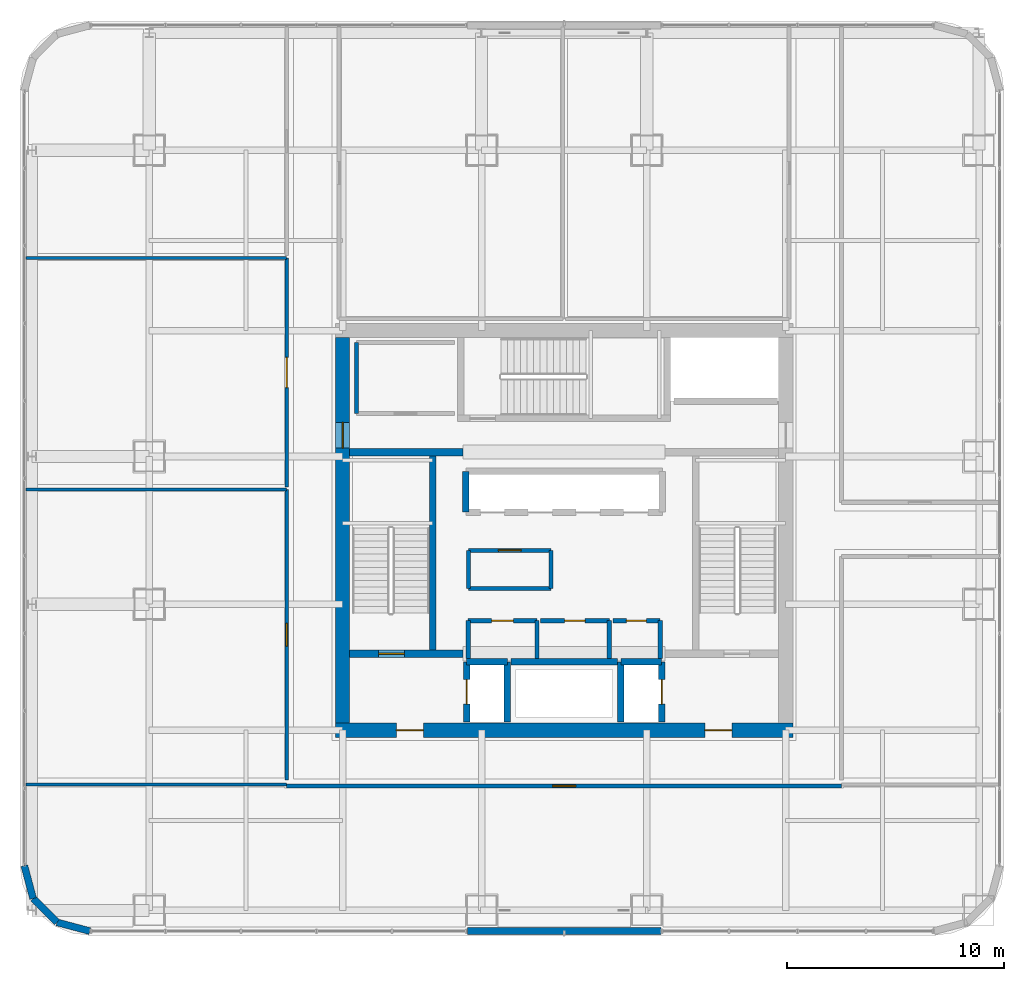
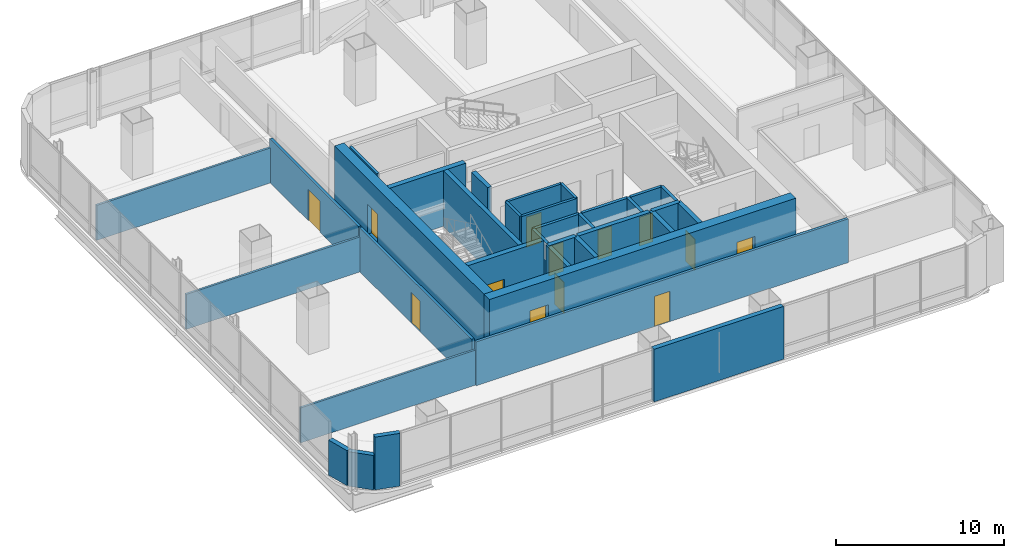
# One storey, part 29 of 38: 35 walls, 13 doors, 13 openings.
"""IFC4 building model written with IfcOpenShell, lengths in metres."""

import ifcopenshell
import ifcopenshell.guid

model = None  # the IFC model being written
_history = None  # IfcOwnerHistory: only IFC2X3 demands one
_inside = {}  # id of a spatial element -> (the spatial element, [elements in it])
_under = {}  # id of a project, library or spatial element -> (it, [spatial elements below it])
_declared = {}  # id of a project -> (the project, [libraries it declares])
_typed = {}  # id of a type object -> (the type object, [elements of that type])
_made_of = {}  # id of a material, layer set ... -> (it, [elements and type objects made of it])


def new_model(schema):
    """Start an empty IFC model of exactly this schema.

    Asked for "IFC4X3", IfcOpenShell would pick the latest addendum, in which some entities
    have other attributes; the version numbers below select the first issue.
    IFC2X3 requires an IfcOwnerHistory on every rooted entity: one is made here for all.
    """
    global model, _history
    if schema == "IFC4X3":
        model = ifcopenshell.file(schema_version=(4, 3, 0, 0))
    else:
        model = ifcopenshell.file(schema=schema)
    _inside.clear()
    _under.clear()
    _declared.clear()
    _typed.clear()
    _made_of.clear()
    _history = None
    if model.schema == "IFC2X3":
        org = make("IfcOrganization", Name="unknown")
        user = make(
            "IfcPersonAndOrganization",
            ThePerson=make("IfcPerson", FamilyName="unknown"),
            TheOrganization=org,
        )
        app = make(
            "IfcApplication",
            ApplicationDeveloper=org,
            Version="unknown",
            ApplicationFullName="unknown",
            ApplicationIdentifier="unknown",
        )
        _history = make(
            "IfcOwnerHistory",
            OwningUser=user,
            OwningApplication=app,
            ChangeAction="ADDED",
            CreationDate=0,
        )
    return model


def make(cls, **values):
    """One entity of the class cls with the attributes given. An attribute that is None is left unset."""
    return model.create_entity(
        cls, **{name: value for name, value in values.items() if value is not None}
    )


def rooted(cls, **values):
    """An entity with a GlobalId (a new one), such as an element, a storey or a relation."""
    return make(cls, GlobalId=ifcopenshell.guid.new(), OwnerHistory=_history, **values)


def si_unit(unit_type, name, prefix=None):
    """IfcSIUnit, for example si_unit("LENGTHUNIT", "METRE", prefix="MILLI")."""
    return make("IfcSIUnit", UnitType=unit_type, Prefix=prefix, Name=name)


def assignment(units):
    """IfcUnitAssignment: the units of a project."""
    return None if units is None else make("IfcUnitAssignment", Units=units)


def point(xyz):
    """IfcCartesianPoint."""
    return None if xyz is None else make("IfcCartesianPoint", Coordinates=xyz)


def direction(xyz):
    """IfcDirection."""
    return None if xyz is None else make("IfcDirection", DirectionRatios=xyz)


def frame(location, z_axis=None, x_axis=None):
    """IfcAxis2Placement3D, a coordinate frame: its origin and axes. An axis left out is left unset."""
    return make(
        "IfcAxis2Placement3D",
        Location=point(location),
        Axis=direction(z_axis),
        RefDirection=direction(x_axis),
    )


def frame_2d(location, x_axis=None):
    """IfcAxis2Placement2D, a coordinate frame in the plane: its origin and x axis."""
    return make(
        "IfcAxis2Placement2D", Location=point(location), RefDirection=direction(x_axis)
    )


def origin():
    """The frame at (0, 0, 0) with its axes left unset."""
    return frame((0.0, 0.0, 0.0))


def place(relative_to, where):
    """IfcLocalPlacement: puts the frame where relative to a parent placement (None: the world)."""
    return make(
        "IfcLocalPlacement", PlacementRelTo=relative_to, RelativePlacement=where
    )


def context(
    kind, dimensions, precision=None, world=None, true_north=None, identifier=None
):
    """IfcGeometricRepresentationContext, for example the 3D "Model" context."""
    return make(
        "IfcGeometricRepresentationContext",
        ContextIdentifier=identifier,
        ContextType=kind,
        CoordinateSpaceDimension=dimensions,
        Precision=precision,
        WorldCoordinateSystem=world,
        TrueNorth=true_north,
    )


def subcontext(parent, identifier, kind, view, scale=None):
    """IfcGeometricRepresentationSubContext, for example "Body" below "Model"."""
    return make(
        "IfcGeometricRepresentationSubContext",
        ContextIdentifier=identifier,
        ContextType=kind,
        ParentContext=parent,
        TargetScale=scale,
        TargetView=view,
    )


def project(units=None, contexts=None):
    """IfcProject with its units and contexts."""
    return rooted(
        "IfcProject",
        Name="project",
        RepresentationContexts=contexts,
        UnitsInContext=assignment(units),
    )


def spatial(cls, under=None, at=None, **own):
    """A site, building, storey or space (cls), placed at a placement, below another one or the project."""
    s = rooted(cls, ObjectPlacement=at, **own)
    if under is not None:
        _under.setdefault(under.id(), (under, []))[1].append(s)
    return s


def profile(cls, at=None, kind="AREA", **sizes):
    """A parametric profile (cls). Its sizes go by their IFC names, for example OverallWidth=200.0."""
    return make(cls, ProfileType=kind, Position=at, **sizes)


def rectangle(**sizes):
    """IfcRectangleProfileDef."""
    return profile("IfcRectangleProfileDef", **sizes)


def extrude(swept, where, along, depth):
    """IfcExtrudedAreaSolid: the profile swept, set in the frame where, extruded along a direction by depth."""
    return make(
        "IfcExtrudedAreaSolid",
        SweptArea=swept,
        Position=where,
        ExtrudedDirection=direction(along),
        Depth=depth,
    )


def shape(context_of_items, identifier, shape_type, items):
    """IfcShapeRepresentation: the items that make up one representation, for example the "Body"."""
    return make(
        "IfcShapeRepresentation",
        ContextOfItems=context_of_items,
        RepresentationIdentifier=identifier,
        RepresentationType=shape_type,
        Items=items,
    )


def material(Name=None, Category=None):
    """IfcMaterial."""
    return make("IfcMaterial", Name=Name, Category=Category)


def layer(
    of_material, thickness, ventilated=None, Name=None, Category=None, Priority=None
):
    """IfcMaterialLayer: one layer of a wall or slab, of a material (None: an air gap)."""
    return make(
        "IfcMaterialLayer",
        Material=of_material,
        LayerThickness=thickness,
        IsVentilated=ventilated,
        Name=Name,
        Category=Category,
        Priority=Priority,
    )


def layer_set(layers, Name=None):
    """IfcMaterialLayerSet."""
    return make("IfcMaterialLayerSet", MaterialLayers=layers, LayerSetName=Name)


def made_of(thing, what):
    """Note that an element or type object is made of a material, layer set ...; save() writes the relation."""
    if what is not None:
        _made_of.setdefault(what.id(), (what, []))[1].append(thing)
    return thing


def type_object(cls, material=None, **own):
    """A type object (cls), such as IfcWallType, which elements share."""
    return made_of(rooted(cls, **own), material)


def element(
    cls,
    number,
    at=None,
    inside=None,
    cuts=None,
    type_object=None,
    material=None,
    context=None,
    identifier="Body",
    shape_type=None,
    held_by="IfcProductDefinitionShape",
    body=None,
    shapes=None,
    **own,
):
    """One element of the class cls, such as IfcWall. Its Tag is "e" and its number.

    at: its placement. inside: the storey or other place that contains it. cuts: it is an
    opening in that element (IfcRelVoidsElement). A single representation is given by context,
    identifier, shape_type and body (its items); several are given by shapes. held_by: the class
    of the entity that holds the representations. save() writes the other relations.
    """
    e = rooted(cls, Tag="e%d" % number, ObjectPlacement=at, **own)
    if body is not None:
        shapes = [shape(context, identifier, shape_type, body)]
    if shapes is not None:
        e.Representation = make(held_by, Representations=shapes)
    if inside is not None:
        _inside.setdefault(inside.id(), (inside, []))[1].append(e)
    if cuts is not None:
        rooted(
            "IfcRelVoidsElement", RelatingBuildingElement=cuts, RelatedOpeningElement=e
        )
    if type_object is not None:
        _typed.setdefault(type_object.id(), (type_object, []))[1].append(e)
    return made_of(e, material)


def fill(opening, filler):
    """IfcRelFillsElement: the door or window that sits in an opening."""
    return rooted(
        "IfcRelFillsElement",
        RelatingOpeningElement=opening,
        RelatedBuildingElement=filler,
    )


def aggregate(whole, parts):
    """IfcRelAggregates: a whole, such as a stair, and the parts it consists of."""
    return rooted("IfcRelAggregates", RelatingObject=whole, RelatedObjects=parts)


def save(model, path):
    """Write the relations noted so far, then the file.

    IfcRelAggregates (storeys below a building ...), IfcRelContainedInSpatialStructure (elements
    in a storey), IfcRelDefinesByType, IfcRelAssociatesMaterial and IfcRelDeclares: one each for
    every whole, place, type object, material and project.
    """
    for whole, parts in _under.values():
        aggregate(whole, parts)
    for where, things in _inside.values():
        rooted(
            "IfcRelContainedInSpatialStructure",
            RelatedElements=things,
            RelatingStructure=where,
        )
    for kind, things in _typed.values():
        rooted("IfcRelDefinesByType", RelatedObjects=things, RelatingType=kind)
    for what, things in _made_of.values():
        rooted("IfcRelAssociatesMaterial", RelatedObjects=things, RelatingMaterial=what)
    for by, libraries in _declared.values():
        rooted("IfcRelDeclares", RelatingContext=by, RelatedDefinitions=libraries)
    model.write(path)


model = new_model("IFC4")

# Units and contexts
model_context = context("Model", 3, precision=1e-05, world=origin(), true_north=direction((0.0, 1.0)))
body_context = subcontext(model_context, "Body", "Model", "MODEL_VIEW")
ifc_project = project(units=[si_unit("LENGTHUNIT", "METRE"), si_unit("AREAUNIT", "SQUARE_METRE"), si_unit("VOLUMEUNIT", "CUBIC_METRE"), si_unit("PLANEANGLEUNIT", "RADIAN"), si_unit("MASSUNIT", "GRAM", prefix="KILO")], contexts=[model_context])

# Site, building, storey
site_placement = place(None, origin())
site = spatial("IfcSite", under=ifc_project, at=site_placement, CompositionType="ELEMENT")
building_placement = place(site_placement, origin())
building = spatial("IfcBuilding", under=site, at=building_placement, Name="Punatoya Terracotta Tower", CompositionType="ELEMENT")
storey_placement = place(building_placement, frame((0.0, 0.0, 156.0)))
storey = spatial("IfcBuildingStorey", under=building, at=storey_placement, Name="L36", CompositionType="ELEMENT", Elevation=156.0)

# Wall, openings, doors
ifc_material_1 = material(Name="Concrete C60/75", Category="concrete")
ifc_layer_1 = layer(ifc_material_1, 0.64990234375)
ifc_layer_set_1 = layer_set([ifc_layer_1], Name="Concrete C60/75")
wall_type_1 = type_object("IfcWallType", Name="WL-COR-650", PredefinedType="SHEAR", material=ifc_layer_set_1)
wall_1_placement = place(storey_placement, frame((10.52490234375, -9.199951171875, 0.0), z_axis=(0.0, 0.0, 1.0), x_axis=(-1.0, 0.0, 0.0)))
wall_1 = element("IfcWall", 1, at=wall_1_placement, inside=storey, type_object=wall_type_1, Name="L36 Core Shear Wall S", PredefinedType="SHEAR", context=body_context, shape_type="SweptSolid", body=[
    extrude(rectangle(XDim=21.0498046875, YDim=0.64990234375, at=frame_2d((10.52490234375, 0.0))), origin(), (0.0, 0.0, 1.0), 4.050048828125),
])
opening_1_placement = place(wall_1_placement, frame((2.800048828125, 0.0, 0.0)))
opening_1 = element("IfcOpeningElement", 2, at=opening_1_placement, cuts=wall_1, Name="Opening FD-L1", PredefinedType="OPENING", context=body_context, shape_type="SweptSolid", body=[
    extrude(rectangle(XDim=1.25, YDim=2.25, at=frame_2d((0.625, 1.125))), frame((0.0, 0.3349609375, 0.0), z_axis=(0.0, -1.0, 0.0), x_axis=(1.0, 0.0, 0.0)), (0.0, 0.0, 1.0), 0.669921875),
])
opening_2_placement = place(wall_1_placement, frame((17.0, 0.0, 0.0)))
opening_2 = element("IfcOpeningElement", 3, at=opening_2_placement, cuts=wall_1, Name="Opening FD-L1", PredefinedType="OPENING", context=body_context, shape_type="SweptSolid", body=[
    extrude(rectangle(XDim=1.25, YDim=2.25, at=frame_2d((0.625, 1.125))), frame((0.0, 0.3349609375, 0.0), z_axis=(0.0, -1.0, 0.0), x_axis=(1.0, 0.0, 0.0)), (0.0, 0.0, 1.0), 0.669921875),
])
ifc_material_2 = material(Name="Galvanised Steel Smokeproof Fire Door", Category="steel")
door_type_1 = type_object("IfcDoorType", Name="DR-FFL-1250", OperationType="NOTDEFINED", PredefinedType="DOOR", material=ifc_material_2)
door_1_placement = place(opening_1_placement, origin())
door_1 = element("IfcDoor", 4, at=door_1_placement, inside=storey, type_object=door_type_1, Name="L36 East Firefighting Lobby Corridor Fire Door", OperationType="SINGLE_SWING_LEFT", OverallHeight=2.25, OverallWidth=1.25, PredefinedType="DOOR", context=body_context, shape_type="SweptSolid", body=[
    extrude(rectangle(XDim=1.25, YDim=2.25, at=frame_2d((0.625, 1.125))), frame((0.0, 0.02490234375, 0.0), z_axis=(0.0, -1.0, 0.0), x_axis=(1.0, 0.0, 0.0)), (0.0, 0.0, 1.0), 0.050048828125),
])
fill(opening_1, door_1)
door_2_placement = place(opening_2_placement, origin())
door_2 = element("IfcDoor", 5, at=door_2_placement, inside=storey, type_object=door_type_1, Name="L36 West Firefighting Lobby Corridor Fire Door", OperationType="SINGLE_SWING_RIGHT", OverallHeight=2.25, OverallWidth=1.25, PredefinedType="DOOR", context=body_context, shape_type="SweptSolid", body=[
    extrude(rectangle(XDim=1.25, YDim=2.25, at=frame_2d((0.625, 1.125))), frame((0.0, 0.02490234375, 0.0), z_axis=(0.0, -1.0, 0.0), x_axis=(1.0, 0.0, 0.0)), (0.0, 0.0, 1.0), 0.050048828125),
])
fill(opening_2, door_2)

# Wall, opening, door
wall_2_placement = place(storey_placement, frame((-10.199951171875, -8.875, 0.0), z_axis=(0.0, 0.0, 1.0), x_axis=(0.0, 1.0, 0.0)))
wall_2 = element("IfcWall", 6, at=wall_2_placement, inside=storey, type_object=wall_type_1, Name="L36 Core Shear Wall W", PredefinedType="SHEAR", context=body_context, shape_type="SweptSolid", body=[
    extrude(rectangle(XDim=17.75, YDim=0.64990234375, at=frame_2d((8.875, 0.0))), origin(), (0.0, 0.0, 1.0), 4.050048828125),
])
opening_3_placement = place(wall_2_placement, frame((12.6650390625, 0.0, 0.0)))
opening_3 = element("IfcOpeningElement", 7, at=opening_3_placement, cuts=wall_2, Name="Opening SD-01", PredefinedType="OPENING", context=body_context, shape_type="SweptSolid", body=[
    extrude(rectangle(XDim=1.179931640625, YDim=2.199951171875, at=frame_2d((0.58984375, 1.10009765625))), frame((0.0, 0.3349609375, 0.0), z_axis=(0.0, -1.0, 0.0), x_axis=(1.0, 0.0, 0.0)), (0.0, 0.0, 1.0), 0.669921875),
])
ifc_material_3 = material(Name="Galvanised Steel Pressurized Stair Fire Door", Category="steel")
door_type_2 = type_object("IfcDoorType", Name="DR-STR-1180", OperationType="NOTDEFINED", PredefinedType="DOOR", material=ifc_material_3)
door_3_placement = place(opening_3_placement, origin())
door_3 = element("IfcDoor", 8, at=door_3_placement, inside=storey, type_object=door_type_2, Name="L36 Central Lift Lobby West Fire Door", OperationType="SINGLE_SWING_LEFT", OverallHeight=2.199951171875, OverallWidth=1.179931640625, PredefinedType="DOOR", context=body_context, shape_type="SweptSolid", body=[
    extrude(rectangle(XDim=1.179931640625, YDim=2.199951171875, at=frame_2d((0.58984375, 1.10009765625))), frame((0.0, 0.02490234375, 0.0), z_axis=(0.0, -1.0, 0.0), x_axis=(1.0, 0.0, 0.0)), (0.0, 0.0, 1.0), 0.050048828125),
])
fill(opening_3, door_3)

# Wall
ifc_material_4 = material(Name="Gypsum Fireboard + Steel Stud", Category="steel")
ifc_layer_2 = layer(ifc_material_4, 0.179931640625)
ifc_layer_set_2 = layer_set([ifc_layer_2], Name="Gypsum Fireboard + Steel Stud")
wall_type_2 = type_object("IfcWallType", Name="WL-CORR-180", PredefinedType="PARTITIONING", material=ifc_layer_set_2)
wall_3_placement = place(storey_placement, frame((-0.60009765625, -2.679931640625, 0.0), z_axis=(0.0, 0.0, 1.0), x_axis=(0.0, 1.0, 0.0)))
element("IfcWall", 9, at=wall_3_placement, inside=storey, type_object=wall_type_2, Name="L36 West Core Archive Office Partition 08", PredefinedType="PARTITIONING", context=body_context, shape_type="SweptSolid", body=[
    extrude(rectangle(XDim=1.760009765625, YDim=0.179931640625, at=frame_2d((0.8798828125, 0.0))), origin(), (0.0, 0.0, 1.0), 3.830078125),
])

# Wall, opening, door
wall_4_placement = place(storey_placement, frame((-0.60009765625, -0.919921875, 0.0), z_axis=(0.0, 0.0, 1.0), x_axis=(-1.0, 0.0, 0.0)))
wall_4 = element("IfcWall", 10, at=wall_4_placement, inside=storey, type_object=wall_type_2, Name="L36 West Core Archive Office Partition 09", PredefinedType="PARTITIONING", context=body_context, shape_type="SweptSolid", body=[
    extrude(rectangle(XDim=3.7998046875, YDim=0.179931640625, at=frame_2d((1.89990234375, 0.0))), origin(), (0.0, 0.0, 1.0), 3.830078125),
])
opening_4_placement = place(wall_4_placement, frame((1.375, 0.0, 0.0)))
opening_4 = element("IfcOpeningElement", 11, at=opening_4_placement, cuts=wall_4, Name="Opening OD-01", PredefinedType="OPENING", context=body_context, shape_type="SweptSolid", body=[
    extrude(rectangle(XDim=1.050048828125, YDim=2.199951171875, at=frame_2d((0.52490234375, 1.10009765625))), frame((0.0, 0.099853515625, 0.0), z_axis=(0.0, -1.0, 0.0), x_axis=(1.0, 0.0, 0.0)), (0.0, 0.0, 1.0), 0.199951171875),
])
ifc_material_5 = material(Name="Bengal Teak Solid-Core Leaf")
door_type_3 = type_object("IfcDoorType", Name="DR-OFF-1050", OperationType="NOTDEFINED", PredefinedType="DOOR", material=ifc_material_5)
door_4_placement = place(opening_4_placement, origin())
door_4 = element("IfcDoor", 12, at=door_4_placement, inside=storey, type_object=door_type_3, Name="L36 West Archive Office Door", OperationType="SINGLE_SWING_RIGHT", OverallHeight=2.199951171875, OverallWidth=1.050048828125, PredefinedType="DOOR", context=body_context, shape_type="SweptSolid", body=[
    extrude(rectangle(XDim=1.050048828125, YDim=2.199951171875, at=frame_2d((0.52490234375, 1.10009765625))), frame((0.0, 0.02490234375, 0.0), z_axis=(0.0, -1.0, 0.0), x_axis=(1.0, 0.0, 0.0)), (0.0, 0.0, 1.0), 0.050048828125),
])
fill(opening_4, door_4)

# Walls
wall_5_placement = place(storey_placement, frame((-4.39990234375, -0.919921875, 0.0), z_axis=(0.0, 0.0, 1.0), x_axis=(0.0, -1.0, 0.0)))
element("IfcWall", 13, at=wall_5_placement, inside=storey, type_object=wall_type_2, Name="L36 West Core Archive Office Partition 10", PredefinedType="PARTITIONING", context=body_context, shape_type="SweptSolid", body=[
    extrude(rectangle(XDim=1.760009765625, YDim=0.179931640625, at=frame_2d((0.8798828125, 0.0))), origin(), (0.0, 0.0, 1.0), 3.830078125),
])
wall_6_placement = place(storey_placement, frame((-4.39990234375, -2.679931640625, 0.0), z_axis=(0.0, 0.0, 1.0), x_axis=(1.0, 0.0, 0.0)))
element("IfcWall", 14, at=wall_6_placement, inside=storey, type_object=wall_type_2, Name="L36 West Core Archive Office Partition 11", PredefinedType="PARTITIONING", context=body_context, shape_type="SweptSolid", body=[
    extrude(rectangle(XDim=3.7998046875, YDim=0.179931640625, at=frame_2d((1.89990234375, 0.0))), origin(), (0.0, 0.0, 1.0), 3.830078125),
])
wall_7_placement = place(storey_placement, frame((-9.550048828125, 8.64990234375, 0.0), z_axis=(0.0, 0.0, 1.0), x_axis=(0.0, -1.0, 0.0)))
element("IfcWall", 15, at=wall_7_placement, inside=storey, type_object=wall_type_2, Name="L36 West Core Records Office Partition 13", PredefinedType="PARTITIONING", context=body_context, shape_type="SweptSolid", body=[
    extrude(rectangle(XDim=3.27001953125, YDim=0.179931640625, at=frame_2d((1.635009765625, 0.0))), origin(), (0.0, 0.0, 1.0), 3.830078125),
])

# Wall, opening, door
wall_8_placement = place(storey_placement, frame((-12.77001953125, -11.77001953125, 0.0), z_axis=(0.0, 0.0, 1.0), x_axis=(1.0, 0.0, 0.0)))
wall_8 = element("IfcWall", 16, at=wall_8_placement, inside=storey, type_object=wall_type_2, Name="L36 Open Workplace Studio Partition 16", PredefinedType="PARTITIONING", context=body_context, shape_type="SweptSolid", body=[
    extrude(rectangle(XDim=25.5400390625, YDim=0.179931640625, at=frame_2d((12.77001953125, 0.0))), origin(), (0.0, 0.0, 1.0), 3.174072265625),
])
opening_5_placement = place(wall_8_placement, frame((12.2451171875, 0.0, 0.0)))
opening_5 = element("IfcOpeningElement", 17, at=opening_5_placement, cuts=wall_8, Name="Opening OD-01", PredefinedType="OPENING", context=body_context, shape_type="SweptSolid", body=[
    extrude(rectangle(XDim=1.050048828125, YDim=2.199951171875, at=frame_2d((0.52490234375, 1.10009765625))), frame((0.0, 0.099853515625, 0.0), z_axis=(0.0, -1.0, 0.0), x_axis=(1.0, 0.0, 0.0)), (0.0, 0.0, 1.0), 0.199951171875),
])
door_5_placement = place(opening_5_placement, origin())
door_5 = element("IfcDoor", 18, at=door_5_placement, inside=storey, type_object=door_type_3, Name="L36 Open Workplace Studio Door", OperationType="SINGLE_SWING_RIGHT", OverallHeight=2.199951171875, OverallWidth=1.050048828125, PredefinedType="DOOR", context=body_context, shape_type="SweptSolid", body=[
    extrude(rectangle(XDim=1.050048828125, YDim=2.199951171875, at=frame_2d((0.52490234375, 1.10009765625))), frame((0.0, 0.02490234375, 0.0), z_axis=(0.0, -1.0, 0.0), x_axis=(1.0, 0.0, 0.0)), (0.0, 0.0, 1.0), 0.050048828125),
])
fill(opening_5, door_5)

wall_9_placement = place(storey_placement, frame((-12.77001953125, 1.8798828125, 0.0), z_axis=(0.0, 0.0, 1.0), x_axis=(0.0, -1.0, 0.0)))
wall_9 = element("IfcWall", 19, at=wall_9_placement, inside=storey, type_object=wall_type_2, Name="L36 Project Design Office Partition 21", PredefinedType="PARTITIONING", context=body_context, shape_type="SweptSolid", body=[
    extrude(rectangle(XDim=13.369873046875, YDim=0.179931640625, at=frame_2d((6.68505859375, 0.0))), origin(), (0.0, 0.0, 1.0), 3.174072265625),
])
opening_6_placement = place(wall_9_placement, frame((6.159912109375, 0.0, 0.0)))
opening_6 = element("IfcOpeningElement", 20, at=opening_6_placement, cuts=wall_9, Name="Opening OD-01", PredefinedType="OPENING", context=body_context, shape_type="SweptSolid", body=[
    extrude(rectangle(XDim=1.050048828125, YDim=2.199951171875, at=frame_2d((0.52490234375, 1.10009765625))), frame((0.0, 0.099853515625, 0.0), z_axis=(0.0, -1.0, 0.0), x_axis=(1.0, 0.0, 0.0)), (0.0, 0.0, 1.0), 0.199951171875),
])
door_6_placement = place(opening_6_placement, origin())
door_6 = element("IfcDoor", 21, at=door_6_placement, inside=storey, type_object=door_type_3, Name="L36 Project Design Office Door", OperationType="SINGLE_SWING_RIGHT", OverallHeight=2.199951171875, OverallWidth=1.050048828125, PredefinedType="DOOR", context=body_context, shape_type="SweptSolid", body=[
    extrude(rectangle(XDim=1.050048828125, YDim=2.199951171875, at=frame_2d((0.52490234375, 1.10009765625))), frame((0.0, 0.02490234375, 0.0), z_axis=(0.0, -1.0, 0.0), x_axis=(1.0, 0.0, 0.0)), (0.0, 0.0, 1.0), 0.050048828125),
])
fill(opening_6, door_6)

wall_10_placement = place(storey_placement, frame((-12.77001953125, 12.530029296875, 0.0), z_axis=(0.0, 0.0, 1.0), x_axis=(0.0, -1.0, 0.0)))
wall_10 = element("IfcWall", 22, at=wall_10_placement, inside=storey, type_object=wall_type_2, Name="L36 Open-Plan Client Strategy Boardroom Partition 23", PredefinedType="PARTITIONING", context=body_context, shape_type="SweptSolid", body=[
    extrude(rectangle(XDim=10.530029296875, YDim=0.179931640625, at=frame_2d((5.26513671875, 0.0))), origin(), (0.0, 0.0, 1.0), 3.174072265625),
])
opening_7_placement = place(wall_10_placement, frame((4.56494140625, 0.0, 0.0)))
opening_7 = element("IfcOpeningElement", 23, at=opening_7_placement, cuts=wall_10, Name="Opening BD-01", PredefinedType="OPENING", context=body_context, shape_type="SweptSolid", body=[
    extrude(rectangle(XDim=1.39990234375, YDim=2.25, at=frame_2d((0.699951171875, 1.125))), frame((0.0, 0.099853515625, 0.0), z_axis=(0.0, -1.0, 0.0), x_axis=(1.0, 0.0, 0.0)), (0.0, 0.0, 1.0), 0.199951171875),
])
ifc_material_6 = material(Name="Bengal Teak Acoustic Leaf")
door_type_4 = type_object("IfcDoorType", Name="DR-BRD-1400", OperationType="NOTDEFINED", PredefinedType="DOOR", material=ifc_material_6)
door_7_placement = place(opening_7_placement, origin())
door_7 = element("IfcDoor", 24, at=door_7_placement, inside=storey, type_object=door_type_4, Name="L36 Open-Plan Client Strategy Boardroom Door", OperationType="SINGLE_SWING_LEFT", OverallHeight=2.25, OverallWidth=1.39990234375, PredefinedType="DOOR", context=body_context, shape_type="SweptSolid", body=[
    extrude(rectangle(XDim=1.39990234375, YDim=2.25, at=frame_2d((0.699951171875, 1.125))), frame((0.0, 0.02490234375, 0.0), z_axis=(0.0, -1.0, 0.0), x_axis=(1.0, 0.0, 0.0)), (0.0, 0.0, 1.0), 0.050048828125),
])
fill(opening_7, door_7)

# Walls
ifc_material_7 = material(Name="Precast concrete C40/50", Category="concrete")
ifc_layer_3 = layer(ifc_material_7, 0.320068359375)
ifc_layer_set_3 = layer_set([ifc_layer_3], Name="Precast concrete C40/50")
wall_type_3 = type_object("IfcWallType", Name="WL-EXT-320", PredefinedType="SOLIDWALL", material=ifc_layer_set_3)
wall_11_placement = place(storey_placement, frame((-4.449951171875, -18.449951171875, 0.0), z_axis=(0.0, 0.0, 1.0), x_axis=(1.0, 0.0, 0.0)))
element("IfcWall", 25, at=wall_11_placement, inside=storey, type_object=wall_type_3, Name="L36 Terracotta Braced Facade Wall S1", PredefinedType="SOLIDWALL", context=body_context, shape_type="SweptSolid", body=[
    extrude(rectangle(XDim=8.89990234375, YDim=0.320068359375, at=frame_2d((4.449951171875, 0.0))), origin(), (0.0, 0.0, 1.0), 3.830078125),
])
wall_12_placement = place(storey_placement, frame((-24.85009765625, -15.43701171875, 0.0), z_axis=(0.0, 0.0, 1.0), x_axis=(0.257847112249, -0.966185730957, 0.0)))
element("IfcWall", 26, at=wall_12_placement, inside=storey, type_object=wall_type_3, Name="L36 Rounded Terracotta Corner Pier 14", PredefinedType="SOLIDWALL", context=body_context, shape_type="SweptSolid", body=[
    extrude(rectangle(XDim=1.565185546875, YDim=0.320068359375, at=frame_2d((0.78271484375, 0.0))), origin(), (0.0, 0.0, 1.0), 2.5439453125),
])
wall_13_placement = place(storey_placement, frame((-24.446533203125, -16.94921875, 0.0), z_axis=(0.0, 0.0, 1.0), x_axis=(0.707106781187, -0.707106781187, 0.0)))
element("IfcWall", 27, at=wall_13_placement, inside=storey, type_object=wall_type_3, Name="L36 Rounded Terracotta Corner Pier 15", PredefinedType="SOLIDWALL", context=body_context, shape_type="SweptSolid", body=[
    extrude(rectangle(XDim=1.552001953125, YDim=0.320068359375, at=frame_2d((0.77587890625, 0.0))), origin(), (0.0, 0.0, 1.0), 2.50390625),
])
wall_14_placement = place(storey_placement, frame((-23.34912109375, -18.046630859375, 0.0), z_axis=(0.0, 0.0, 1.0), x_axis=(0.966224582397, -0.257701486942, 0.0)))
element("IfcWall", 28, at=wall_14_placement, inside=storey, type_object=wall_type_3, Name="L36 Rounded Terracotta Corner Pier 16", PredefinedType="SOLIDWALL", context=body_context, shape_type="SweptSolid", body=[
    extrude(rectangle(XDim=1.565185546875, YDim=0.320068359375, at=frame_2d((0.78271484375, 0.0))), origin(), (0.0, 0.0, 1.0), 3.830078125),
])
ifc_material_8 = material(Name="Concrete C40/50", Category="concrete")
ifc_layer_4 = layer(ifc_material_8, 0.199951171875)
ifc_layer_set_4 = layer_set([ifc_layer_4], Name="Concrete C40/50")
wall_type_4 = type_object("IfcWallType", Name="WL-INT-200", PredefinedType="SOLIDWALL", material=ifc_layer_set_4)
wall_15_placement = place(storey_placement, frame((-1.25, -5.89990234375, 0.0), z_axis=(0.0, 0.0, 1.0), x_axis=(0.0, 1.0, 0.0)))
element("IfcWall", 29, at=wall_15_placement, inside=storey, type_object=wall_type_4, Name="L36 Accessible Universal Washroom Partition 01", PredefinedType="SOLIDWALL", context=body_context, shape_type="SweptSolid", body=[
    extrude(rectangle(XDim=1.739990234375, YDim=0.199951171875, at=frame_2d((0.8701171875, 0.0))), origin(), (0.0, 0.0, 1.0), 3.830078125),
])

# Wall, opening, door
wall_16_placement = place(storey_placement, frame((-1.25, -4.159912109375, 0.0), z_axis=(0.0, 0.0, 1.0), x_axis=(-1.0, 0.0, 0.0)))
wall_16 = element("IfcWall", 30, at=wall_16_placement, inside=storey, type_object=wall_type_4, Name="L36 Accessible Universal Washroom Partition 02", PredefinedType="SOLIDWALL", context=body_context, shape_type="SweptSolid", body=[
    extrude(rectangle(XDim=3.169921875, YDim=0.199951171875, at=frame_2d((1.5849609375, 0.0))), origin(), (0.0, 0.0, 1.0), 3.830078125),
])
opening_8_placement = place(wall_16_placement, frame((1.0849609375, 0.0, 0.0)))
opening_8 = element("IfcOpeningElement", 31, at=opening_8_placement, cuts=wall_16, Name="Opening AWD-1", PredefinedType="OPENING", context=body_context, shape_type="SweptSolid", body=[
    extrude(rectangle(XDim=1.0, YDim=2.14990234375, at=frame_2d((0.5, 1.074951171875))), frame((0.0, 0.10986328125, 0.0), z_axis=(0.0, -1.0, 0.0), x_axis=(1.0, 0.0, 0.0)), (0.0, 0.0, 1.0), 0.219970703125),
])
ifc_material_9 = material(Name="Bengal Teak Accessible WC Leaf")
door_type_5 = type_object("IfcDoorType", Name="DR-ACC-1000", OperationType="NOTDEFINED", PredefinedType="DOOR", material=ifc_material_9)
door_8_placement = place(opening_8_placement, origin())
door_8 = element("IfcDoor", 32, at=door_8_placement, inside=storey, type_object=door_type_5, Name="L36 Accessible Universal Washroom Door", OperationType="SINGLE_SWING_LEFT", OverallHeight=2.14990234375, OverallWidth=1.0, PredefinedType="DOOR", context=body_context, shape_type="SweptSolid", body=[
    extrude(rectangle(XDim=1.0, YDim=2.14990234375, at=frame_2d((0.5, 1.074951171875))), frame((0.0, 0.02490234375, 0.0), z_axis=(0.0, -1.0, 0.0), x_axis=(1.0, 0.0, 0.0)), (0.0, 0.0, 1.0), 0.050048828125),
])
fill(opening_8, door_8)

# Walls
for number, where, z_axis, x_axis, name in (
    (33, (-4.419921875, -4.159912109375, 0.0), (0.0, 0.0, 1.0), (0.0, -1.0, 0.0), "L36 Accessible Universal Washroom Partition 03"),
    (34, (2.080078125, -5.89990234375, 0.0), (0.0, 0.0, 1.0), (0.0, 1.0, 0.0), "L36 All-Gender Universal Washroom Partition 04"),
):
    element("IfcWall", number, at=place(storey_placement, frame(where, z_axis=z_axis, x_axis=x_axis)), inside=storey, type_object=wall_type_4, Name=name, PredefinedType="SOLIDWALL", context=body_context, shape_type="SweptSolid", body=[
        extrude(rectangle(XDim=1.739990234375, YDim=0.199951171875, at=frame_2d((0.8701171875, 0.0))), origin(), (0.0, 0.0, 1.0), 3.830078125),
    ])

# Wall, opening, door
wall_17_placement = place(storey_placement, frame((2.080078125, -4.159912109375, 0.0), z_axis=(0.0, 0.0, 1.0), x_axis=(-1.0, 0.0, 0.0)))
wall_17 = element("IfcWall", 35, at=wall_17_placement, inside=storey, type_object=wall_type_4, Name="L36 All-Gender Universal Washroom Partition 05", PredefinedType="SOLIDWALL", context=body_context, shape_type="SweptSolid", body=[
    extrude(rectangle(XDim=3.170166015625, YDim=0.199951171875, at=frame_2d((1.5849609375, 0.0))), origin(), (0.0, 0.0, 1.0), 3.830078125),
])
opening_9_placement = place(wall_17_placement, frame((1.110107421875, 0.0, 0.0)))
opening_9 = element("IfcOpeningElement", 36, at=opening_9_placement, cuts=wall_17, Name="Opening WD-01", PredefinedType="OPENING", context=body_context, shape_type="SweptSolid", body=[
    extrude(rectangle(XDim=0.949951171875, YDim=2.14990234375, at=frame_2d((0.47509765625, 1.074951171875))), frame((0.0, 0.10986328125, 0.0), z_axis=(0.0, -1.0, 0.0), x_axis=(1.0, 0.0, 0.0)), (0.0, 0.0, 1.0), 0.219970703125),
])
ifc_material_10 = material(Name="Moisture-Resistant Laminate Timber Leaf", Category="wood")
door_type_6 = type_object("IfcDoorType", Name="DR-WC-950", OperationType="NOTDEFINED", PredefinedType="DOOR", material=ifc_material_10)
door_9_placement = place(opening_9_placement, origin())
door_9 = element("IfcDoor", 37, at=door_9_placement, inside=storey, type_object=door_type_6, Name="L36 All-Gender Universal Washroom Door", OperationType="SINGLE_SWING_RIGHT", OverallHeight=2.14990234375, OverallWidth=0.949951171875, PredefinedType="DOOR", context=body_context, shape_type="SweptSolid", body=[
    extrude(rectangle(XDim=0.949951171875, YDim=2.14990234375, at=frame_2d((0.47509765625, 1.074951171875))), frame((0.0, 0.02490234375, 0.0), z_axis=(0.0, -1.0, 0.0), x_axis=(1.0, 0.0, 0.0)), (0.0, 0.0, 1.0), 0.050048828125),
])
fill(opening_9, door_9)

# Wall
wall_18_placement = place(storey_placement, frame((4.419921875, -5.89990234375, 0.0), z_axis=(0.0, 0.0, 1.0), x_axis=(0.0, 1.0, 0.0)))
element("IfcWall", 38, at=wall_18_placement, inside=storey, type_object=wall_type_4, Name="L36 Core Electrical Switchgear Room Partition 06", PredefinedType="SOLIDWALL", context=body_context, shape_type="SweptSolid", body=[
    extrude(rectangle(XDim=1.739990234375, YDim=0.199951171875, at=frame_2d((0.8701171875, 0.0))), origin(), (0.0, 0.0, 1.0), 3.830078125),
])

# Wall, opening, door
wall_19_placement = place(storey_placement, frame((4.419921875, -4.159912109375, 0.0), z_axis=(0.0, 0.0, 1.0), x_axis=(-1.0, 0.0, 0.0)))
wall_19 = element("IfcWall", 39, at=wall_19_placement, inside=storey, type_object=wall_type_4, Name="L36 Core Electrical Switchgear Room Partition 07", PredefinedType="SOLIDWALL", context=body_context, shape_type="SweptSolid", body=[
    extrude(rectangle(XDim=2.179931640625, YDim=0.199951171875, at=frame_2d((1.08984375, 0.0))), origin(), (0.0, 0.0, 1.0), 3.830078125),
])
opening_10_placement = place(wall_19_placement, frame((0.6298828125, 0.0, 0.0)))
opening_10 = element("IfcOpeningElement", 40, at=opening_10_placement, cuts=wall_19, Name="Opening FD-R1", PredefinedType="OPENING", context=body_context, shape_type="SweptSolid", body=[
    extrude(rectangle(XDim=0.919921875, YDim=2.10009765625, at=frame_2d((0.4599609375, 1.050048828125))), frame((0.0, 0.10986328125, 0.0), z_axis=(0.0, -1.0, 0.0), x_axis=(1.0, 0.0, 0.0)), (0.0, 0.0, 1.0), 0.219970703125),
])
ifc_material_11 = material(Name="Galvanised Steel Riser Fire Access Door", Category="steel")
door_type_7 = type_object("IfcDoorType", Name="DR-RSR-920", OperationType="NOTDEFINED", PredefinedType="DOOR", material=ifc_material_11)
door_10_placement = place(opening_10_placement, origin())
door_10 = element("IfcDoor", 41, at=door_10_placement, inside=storey, type_object=door_type_7, Name="L36 Core Electrical Switchgear Room Fire Door", OperationType="SINGLE_SWING_LEFT", OverallHeight=2.10009765625, OverallWidth=0.919921875, PredefinedType="DOOR", context=body_context, shape_type="SweptSolid", body=[
    extrude(rectangle(XDim=0.919921875, YDim=2.10009765625, at=frame_2d((0.4599609375, 1.050048828125))), frame((0.0, 0.02490234375, 0.0), z_axis=(0.0, -1.0, 0.0), x_axis=(1.0, 0.0, 0.0)), (0.0, 0.0, 1.0), 0.050048828125),
])
fill(opening_10, door_10)

# Walls
ifc_material_12 = material(Name="Acoustic Gypsum + Steel Stud", Category="steel")
ifc_layer_5 = layer(ifc_material_12, 0.139892578125)
ifc_layer_set_5 = layer_set([ifc_layer_5], Name="Acoustic Gypsum + Steel Stud")
wall_type_5 = type_object("IfcWallType", Name="WL-OFF-140", PredefinedType="PARTITIONING", material=ifc_layer_set_5)
for number, where, z_axis, x_axis, name in (
    (42, (-24.77001953125, -11.7099609375, 0.0), (0.0, 0.0, 1.0), (1.0, 0.0, 0.0), "L36 Open Workplace Studio Partition 15"),
    (43, (-24.77001953125, 1.8798828125, 0.0), (0.0, 0.0, 1.0), (1.0, 0.0, 0.0), "L36 Project Design Office Partition 20"),
    (44, (-24.77001953125, 12.530029296875, 0.0), (0.0, 0.0, 1.0), (1.0, 0.0, 0.0), "L36 Open-Plan Client Strategy Boardroom Partition 22"),
):
    element("IfcWall", number, at=place(storey_placement, frame(where, z_axis=z_axis, x_axis=x_axis)), inside=storey, type_object=wall_type_5, Name=name, PredefinedType="PARTITIONING", context=body_context, shape_type="SweptSolid", body=[
        extrude(rectangle(XDim=12.0, YDim=0.139892578125, at=frame_2d((6.0, 0.0))), origin(), (0.0, 0.0, 1.0), 2.5439453125),
    ])
ifc_layer_6 = layer(ifc_material_8, 0.300048828125)
ifc_layer_set_6 = layer_set([ifc_layer_6], Name="Concrete C40/50")
wall_type_6 = type_object("IfcWallType", Name="WL-SHF-300", PredefinedType="SOLIDWALL", material=ifc_layer_set_6)
wall_20_placement = place(storey_placement, frame((-6.050048828125, -5.5, 0.0), z_axis=(0.0, 0.0, 1.0), x_axis=(0.0, 1.0, 0.0)))
element("IfcWall", 45, at=wall_20_placement, inside=storey, type_object=wall_type_6, Name="L36 Structural Stair Shaft Wall SW-ST1-E", PredefinedType="SOLIDWALL", context=body_context, shape_type="SweptSolid", body=[
    extrude(rectangle(XDim=8.949951171875, YDim=0.300048828125, at=frame_2d((4.47509765625, 0.0))), origin(), (0.0, 0.0, 1.0), 4.050048828125),
])

# Wall, opening, door
wall_21_placement = place(storey_placement, frame((-4.489990234375, -8.820068359375, 0.0), z_axis=(0.0, 0.0, 1.0), x_axis=(0.0, 1.0, 0.0)))
wall_21 = element("IfcWall", 46, at=wall_21_placement, inside=storey, type_object=wall_type_6, Name="L36 FFL-1 Front Hoistway Wall", PredefinedType="SOLIDWALL", context=body_context, shape_type="SweptSolid", body=[
    extrude(rectangle(XDim=2.77001953125, YDim=0.300048828125, at=frame_2d((1.385009765625, 0.0))), origin(), (0.0, 0.0, 1.0), 3.830078125),
])
opening_11_placement = place(wall_21_placement, frame((0.824951171875, 0.0, 0.0)))
opening_11 = element("IfcOpeningElement", 47, at=opening_11_placement, cuts=wall_21, Name="Opening LD-02", PredefinedType="OPENING", context=body_context, shape_type="SweptSolid", body=[
    extrude(rectangle(XDim=1.1201171875, YDim=2.25, at=frame_2d((0.56005859375, 1.125))), frame((0.0, 0.159912109375, 0.0), z_axis=(0.0, -1.0, 0.0), x_axis=(1.0, 0.0, 0.0)), (0.0, 0.0, 1.0), 0.320068359375),
])
ifc_material_13 = material(Name="Stainless Steel Lift Landing Door", Category="steel")
door_type_8 = type_object("IfcDoorType", Name="DR-LND-1120", OperationType="NOTDEFINED", PredefinedType="DOOR", material=ifc_material_13)
door_11_placement = place(opening_11_placement, origin())
door_11 = element("IfcDoor", 48, at=door_11_placement, inside=storey, type_object=door_type_8, Name="L36 Firefighting Lift FFL-1 Sliding Landing Door", OperationType="SLIDING_TO_LEFT", OverallHeight=2.25, OverallWidth=1.1201171875, PredefinedType="DOOR", context=body_context, shape_type="SweptSolid", body=[
    extrude(rectangle(XDim=1.1201171875, YDim=2.25, at=frame_2d((0.56005859375, 1.125))), frame((0.0, 0.02490234375, 0.0), z_axis=(0.0, -1.0, 0.0), x_axis=(1.0, 0.0, 0.0)), (0.0, 0.0, 1.0), 0.050048828125),
])
fill(opening_11, door_11)

# Walls
wall_22_placement = place(storey_placement, frame((-2.610107421875, -8.820068359375, 0.0), z_axis=(0.0, 0.0, 1.0), x_axis=(0.0, 1.0, 0.0)))
element("IfcWall", 49, at=wall_22_placement, inside=storey, type_object=wall_type_6, Name="L36 FFL-1 Rear Hoistway Wall", PredefinedType="SOLIDWALL", context=body_context, shape_type="SweptSolid", body=[
    extrude(rectangle(XDim=2.77001953125, YDim=0.300048828125, at=frame_2d((1.385009765625, 0.0))), origin(), (0.0, 0.0, 1.0), 3.830078125),
])
wall_23_placement = place(storey_placement, frame((-4.489990234375, -6.050048828125, 0.0), z_axis=(0.0, 0.0, 1.0), x_axis=(1.0, 0.0, 0.0)))
element("IfcWall", 50, at=wall_23_placement, inside=storey, type_object=wall_type_6, Name="L36 FFL-1 North Hoistway Wall", PredefinedType="SOLIDWALL", context=body_context, shape_type="SweptSolid", body=[
    extrude(rectangle(XDim=1.8798828125, YDim=0.300048828125, at=frame_2d((0.93994140625, 0.0))), origin(), (0.0, 0.0, 1.0), 3.830078125),
])

# Wall, opening, door
wall_24_placement = place(storey_placement, frame((4.489990234375, -8.820068359375, 0.0), z_axis=(0.0, 0.0, 1.0), x_axis=(0.0, 1.0, 0.0)))
wall_24 = element("IfcWall", 51, at=wall_24_placement, inside=storey, type_object=wall_type_6, Name="L36 FFL-2 Front Hoistway Wall", PredefinedType="SOLIDWALL", context=body_context, shape_type="SweptSolid", body=[
    extrude(rectangle(XDim=2.77001953125, YDim=0.300048828125, at=frame_2d((1.385009765625, 0.0))), origin(), (0.0, 0.0, 1.0), 3.830078125),
])
opening_12_placement = place(wall_24_placement, frame((0.824951171875, 0.0, 0.0)))
opening_12 = element("IfcOpeningElement", 52, at=opening_12_placement, cuts=wall_24, Name="Opening LD-02", PredefinedType="OPENING", context=body_context, shape_type="SweptSolid", body=[
    extrude(rectangle(XDim=1.1201171875, YDim=2.25, at=frame_2d((0.56005859375, 1.125))), frame((0.0, 0.159912109375, 0.0), z_axis=(0.0, -1.0, 0.0), x_axis=(1.0, 0.0, 0.0)), (0.0, 0.0, 1.0), 0.320068359375),
])
door_12_placement = place(opening_12_placement, origin())
door_12 = element("IfcDoor", 53, at=door_12_placement, inside=storey, type_object=door_type_8, Name="L36 Firefighting Lift FFL-2 Sliding Landing Door", OperationType="SLIDING_TO_RIGHT", OverallHeight=2.25, OverallWidth=1.1201171875, PredefinedType="DOOR", context=body_context, shape_type="SweptSolid", body=[
    extrude(rectangle(XDim=1.1201171875, YDim=2.25, at=frame_2d((0.56005859375, 1.125))), frame((0.0, 0.02490234375, 0.0), z_axis=(0.0, -1.0, 0.0), x_axis=(1.0, 0.0, 0.0)), (0.0, 0.0, 1.0), 0.050048828125),
])
fill(opening_12, door_12)

# Walls
wall_25_placement = place(storey_placement, frame((2.610107421875, -8.820068359375, 0.0), z_axis=(0.0, 0.0, 1.0), x_axis=(0.0, 1.0, 0.0)))
element("IfcWall", 54, at=wall_25_placement, inside=storey, type_object=wall_type_6, Name="L36 FFL-2 Rear Hoistway Wall", PredefinedType="SOLIDWALL", context=body_context, shape_type="SweptSolid", body=[
    extrude(rectangle(XDim=2.77001953125, YDim=0.300048828125, at=frame_2d((1.385009765625, 0.0))), origin(), (0.0, 0.0, 1.0), 3.830078125),
])
for number, where, z_axis, x_axis, name in (
    (55, (2.610107421875, -6.050048828125, 0.0), (0.0, 0.0, 1.0), (1.0, 0.0, 0.0), "L36 FFL-2 North Hoistway Wall"),
    (56, (-4.52001953125, 0.840087890625, 0.0), (0.0, 0.0, 1.0), (0.0, 1.0, 0.0), "L36 North Lift Bank West End Wall"),
):
    element("IfcWall", number, at=place(storey_placement, frame(where, z_axis=z_axis, x_axis=x_axis)), inside=storey, type_object=wall_type_6, Name=name, PredefinedType="SOLIDWALL", context=body_context, shape_type="SweptSolid", body=[
        extrude(rectangle(XDim=1.8798828125, YDim=0.300048828125, at=frame_2d((0.93994140625, 0.0))), origin(), (0.0, 0.0, 1.0), 3.830078125),
    ])
wall_26_placement = place(storey_placement, frame((-2.449951171875, -6.050048828125, 0.0), z_axis=(0.0, 0.0, 1.0), x_axis=(1.0, 0.0, 0.0)))
element("IfcWall", 57, at=wall_26_placement, inside=storey, type_object=wall_type_6, Name="L36 Observation Shuttle Rear Hoistway Wall", PredefinedType="SOLIDWALL", context=body_context, shape_type="SweptSolid", body=[
    extrude(rectangle(XDim=4.89990234375, YDim=0.300048828125, at=frame_2d((2.449951171875, 0.0))), origin(), (0.0, 0.0, 1.0), 3.830078125),
])

# Wall, opening, door
ifc_material_14 = material(Name="Concrete C50/60", Category="concrete")
ifc_layer_7 = layer(ifc_material_14, 0.35009765625)
ifc_layer_set_7 = layer_set([ifc_layer_7], Name="Concrete C50/60")
wall_type_7 = type_object("IfcWallType", Name="WL-SHF-350", PredefinedType="SOLIDWALL", material=ifc_layer_set_7)
wall_27_placement = place(storey_placement, frame((-9.875, -5.679931640625, 0.0), z_axis=(0.0, 0.0, 1.0), x_axis=(1.0, 0.0, 0.0)))
wall_27 = element("IfcWall", 58, at=wall_27_placement, inside=storey, type_object=wall_type_7, Name="L36 Core Web Wall CSW-L", PredefinedType="SOLIDWALL", context=body_context, shape_type="SweptSolid", body=[
    extrude(rectangle(XDim=5.22509765625, YDim=0.35009765625, at=frame_2d((2.612548828125, 0.0))), origin(), (0.0, 0.0, 1.0), 4.050048828125),
])
opening_13_placement = place(wall_27_placement, frame((1.3349609375, 0.0, 0.0)))
opening_13 = element("IfcOpeningElement", 59, at=opening_13_placement, cuts=wall_27, Name="Opening SD-01", PredefinedType="OPENING", context=body_context, shape_type="SweptSolid", body=[
    extrude(rectangle(XDim=1.179931640625, YDim=2.199951171875, at=frame_2d((0.58984375, 1.10009765625))), frame((0.0, 0.18505859375, 0.0), z_axis=(0.0, -1.0, 0.0), x_axis=(1.0, 0.0, 0.0)), (0.0, 0.0, 1.0), 0.3701171875),
])
door_13_placement = place(opening_13_placement, origin())
door_13 = element("IfcDoor", 60, at=door_13_placement, inside=storey, type_object=door_type_2, Name="L36 Stair ST-1 Smokeproof Lobby Fire Door", OperationType="SINGLE_SWING_LEFT", OverallHeight=2.199951171875, OverallWidth=1.179931640625, PredefinedType="DOOR", context=body_context, shape_type="SweptSolid", body=[
    extrude(rectangle(XDim=1.179931640625, YDim=2.199951171875, at=frame_2d((0.58984375, 1.10009765625))), frame((0.0, 0.02490234375, 0.0), z_axis=(0.0, -1.0, 0.0), x_axis=(1.0, 0.0, 0.0)), (0.0, 0.0, 1.0), 0.050048828125),
])
fill(opening_13, door_13)

# Wall
wall_28_placement = place(storey_placement, frame((-9.875, 3.60009765625, 0.0), z_axis=(0.0, 0.0, 1.0), x_axis=(1.0, 0.0, 0.0)))
element("IfcWall", 61, at=wall_28_placement, inside=storey, type_object=wall_type_7, Name="L36 Core Web Wall CNW-L", PredefinedType="SOLIDWALL", context=body_context, shape_type="SweptSolid", body=[
    extrude(rectangle(XDim=5.22509765625, YDim=0.35009765625, at=frame_2d((2.612548828125, 0.0))), origin(), (0.0, 0.0, 1.0), 4.050048828125),
])

save(model, "model.ifc")
